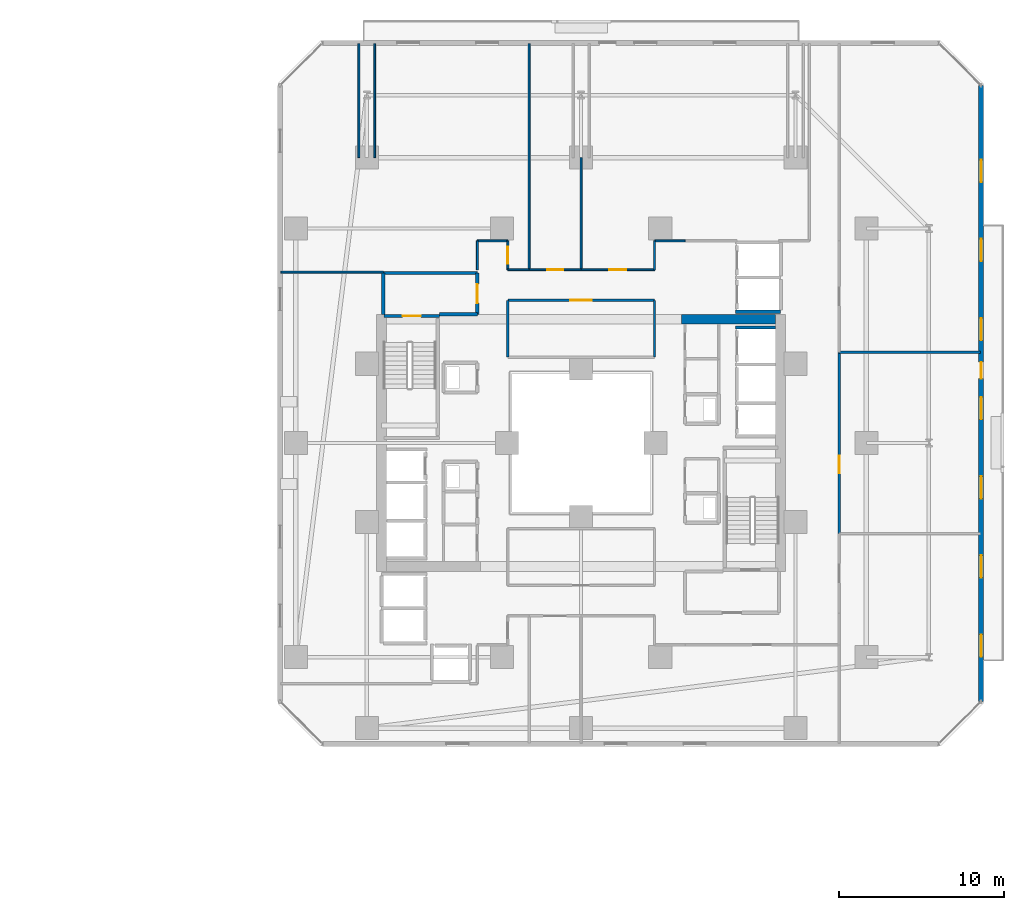
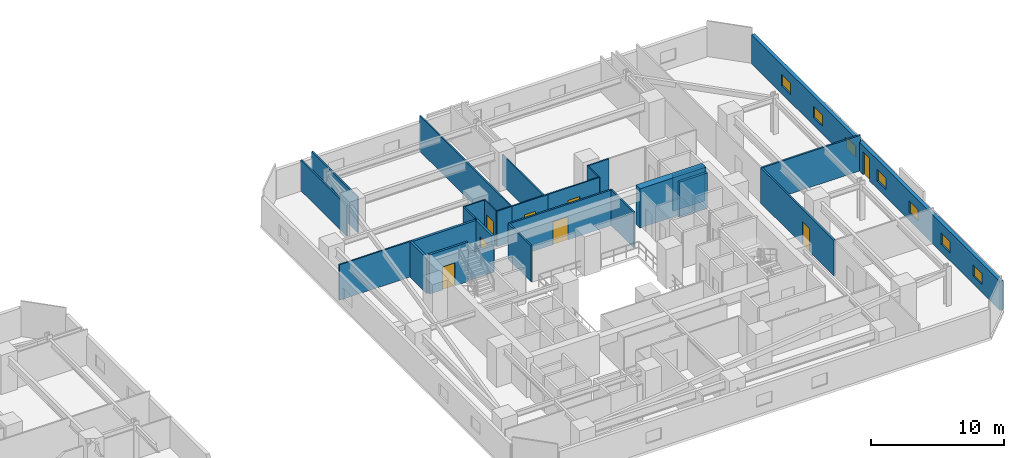
# One storey, part 27 of 36: 27 walls, 8 doors, 7 windows, 15 openings.
"""IFC4 building model written with IfcOpenShell, lengths in metres."""

from ifc_helpers import new_model, si_unit, direction, frame, frame_2d, origin, place, context, subcontext, project, spatial, rectangle, extrude, material, layer, layer_set, type_object, element, fill, save


model = new_model("IFC4")

# Units and contexts
model_context = context("Model", 3, precision=1e-05, world=origin(), true_north=direction((0.0, 1.0)))
body_context = subcontext(model_context, "Body", "Model", "MODEL_VIEW")
ifc_project = project(units=[si_unit("LENGTHUNIT", "METRE"), si_unit("AREAUNIT", "SQUARE_METRE"), si_unit("VOLUMEUNIT", "CUBIC_METRE"), si_unit("PLANEANGLEUNIT", "RADIAN"), si_unit("MASSUNIT", "GRAM", prefix="KILO")], contexts=[model_context])

# Site, building, storey
site_placement = place(None, origin())
site = spatial("IfcSite", under=ifc_project, at=site_placement, CompositionType="ELEMENT")
building_placement = place(site_placement, origin())
building = spatial("IfcBuilding", under=site, at=building_placement, Name="Thornwick Lancets Civic Towers", CompositionType="ELEMENT")
storey_placement = place(building_placement, frame((0.0, 0.0, 68.10009765625)))
storey = spatial("IfcBuildingStorey", under=building, at=storey_placement, Name="L17", CompositionType="ELEMENT", Elevation=68.10009765625)

# Walls
ifc_material_1 = material(Name="Concrete blockwork C40/50", Category="masonry")
ifc_layer_1 = layer(ifc_material_1, 0.199951171875, Name="Concrete blockwork C40/50")
ifc_layer_set_1 = layer_set([ifc_layer_1], Name="Concrete blockwork C40/50")
wall_type_1 = type_object("IfcWallType", Name="WALL_COMP_200", PredefinedType="STANDARD", material=ifc_layer_set_1)
wall_1_placement = place(storey_placement, frame((97.85205078125, 34.0, 0.0), z_axis=(0.0, 0.0, 1.0), x_axis=(1.0, 0.0, 0.0)))
element("IfcWall", 1, at=wall_1_placement, inside=storey, type_object=wall_type_1, Name="L17 Hoistway Shaft Wall PL-BL1 N", PredefinedType="STANDARD", context=body_context, shape_type="SweptSolid", body=[
    extrude(rectangle(XDim=2.43603515625, YDim=0.199951171875, at=frame_2d((1.218017578125, 0.0))), origin(), (0.0, 0.0, 1.0), 3.260009765625),
])
wall_2_placement = place(storey_placement, frame((97.85205078125, 34.949951171875, 0.0), z_axis=(0.0, 0.0, 1.0), x_axis=(1.0, 0.0, 0.0)))
element("IfcWall", 2, at=wall_2_placement, inside=storey, type_object=wall_type_1, Name="L17 Hoistway Shaft Wall PL-BL2 S", PredefinedType="STANDARD", context=body_context, shape_type="SweptSolid", body=[
    extrude(rectangle(XDim=2.745849609375, YDim=0.199951171875, at=frame_2d((1.373046875, 0.0))), origin(), (0.0, 0.0, 1.0), 3.260009765625),
])
wall_3_placement = place(storey_placement, frame((79.89990234375, 34.800048828125, 0.0), z_axis=(0.0, 0.0, 1.0), x_axis=(1.0, 0.0, 0.0)))
element("IfcWall", 3, at=wall_3_placement, inside=storey, type_object=wall_type_1, Name="L17 Partition L17-B-FFLOB2 E1", PredefinedType="STANDARD", context=body_context, shape_type="SweptSolid", body=[
    extrude(rectangle(XDim=2.300048828125, YDim=0.199951171875, at=frame_2d((1.14990234375, 0.0))), origin(), (0.0, 0.0, 1.0), 2.46484375),
])

# Wall, opening, door
wall_4_placement = place(storey_placement, frame((82.199951171875, 34.800048828125, 0.0), z_axis=(0.0, 0.0, 1.0), x_axis=(0.0, 1.0, 0.0)))
wall_4 = element("IfcWall", 4, at=wall_4_placement, inside=storey, type_object=wall_type_1, Name="L17 Partition L17-B-FFLOB2 E2", PredefinedType="STANDARD", context=body_context, shape_type="SweptSolid", body=[
    extrude(rectangle(XDim=2.5, YDim=0.199951171875, at=frame_2d((1.25, 0.0))), origin(), (0.0, 0.0, 1.0), 3.260009765625),
])
opening_1_placement = place(wall_4_placement, frame((0.675048828125, 0.0, 0.0)))
opening_1 = element("IfcOpeningElement", 5, at=opening_1_placement, cuts=wall_4, Name="Opening D-L17-0813", PredefinedType="OPENING", context=body_context, shape_type="SweptSolid", body=[
    extrude(rectangle(XDim=1.14990234375, YDim=2.10009765625, at=frame_2d((0.574951171875, 1.050048828125))), frame((0.0, 0.10986328125, 0.0), z_axis=(0.0, -1.0, 0.0), x_axis=(1.0, 0.0, 0.0)), (0.0, 0.0, 1.0), 0.219970703125),
])
ifc_material_2 = material(Name="Glazed fire-resisting steel", Category="steel")
door_type_1 = type_object("IfcDoorType", Name="DOOR_LOBBY_FD60", OperationType="NOTDEFINED", PredefinedType="DOOR", material=ifc_material_2)
door_1_placement = place(opening_1_placement, origin())
door_1 = element("IfcDoor", 6, at=door_1_placement, inside=storey, type_object=door_type_1, Name="L17 West Firefighting Lobby 2 Door", OperationType="SINGLE_SWING_RIGHT", OverallHeight=2.10009765625, OverallWidth=1.14990234375, PredefinedType="DOOR", context=body_context, shape_type="SweptSolid", body=[
    extrude(rectangle(XDim=1.14990234375, YDim=2.10009765625, at=frame_2d((0.574951171875, 1.050048828125))), frame((0.0, 0.02490234375, 0.0), z_axis=(0.0, -1.0, 0.0), x_axis=(1.0, 0.0, 0.0)), (0.0, 0.0, 1.0), 0.050048828125),
])
fill(opening_1, door_1)

# Walls
wall_5_placement = place(storey_placement, frame((82.199951171875, 37.300048828125, 0.0), z_axis=(0.0, 0.0, 1.0), x_axis=(-1.0, 0.0, 0.0)))
element("IfcWall", 7, at=wall_5_placement, inside=storey, type_object=wall_type_1, Name="L17 Partition L17-B-FFLOB2 E3", PredefinedType="STANDARD", context=body_context, shape_type="SweptSolid", body=[
    extrude(rectangle(XDim=5.699951171875, YDim=0.199951171875, at=frame_2d((2.85009765625, 0.0))), origin(), (0.0, 0.0, 1.0), 3.260009765625),
])
wall_6_placement = place(storey_placement, frame((76.5, 37.300048828125, 0.0), z_axis=(0.0, 0.0, 1.0), x_axis=(0.0, -1.0, 0.0)))
element("IfcWall", 8, at=wall_6_placement, inside=storey, type_object=wall_type_1, Name="L17 Partition L17-B-FFLOB2 E4", PredefinedType="STANDARD", context=body_context, shape_type="SweptSolid", body=[
    extrude(rectangle(XDim=2.5, YDim=0.199951171875, at=frame_2d((1.25, 0.0))), origin(), (0.0, 0.0, 1.0), 3.260009765625),
])
ifc_material_3 = material(Name="Concrete C60/75", Category="concrete")
ifc_layer_2 = layer(ifc_material_3, 0.60009765625, Name="Concrete C60/75")
ifc_layer_set_2 = layer_set([ifc_layer_2], Name="Concrete C60/75")
wall_type_2 = type_object("IfcWallType", Name="WALL_CORE_600", PredefinedType="SHEAR", material=ifc_layer_set_2)
wall_7_placement = place(storey_placement, frame((94.60009765625, 34.5, 0.0), z_axis=(0.0, 0.0, 1.0), x_axis=(1.0, 0.0, 0.0)))
element("IfcWall", 9, at=wall_7_placement, inside=storey, type_object=wall_type_2, Name="L17 Split Core B1 Shear Wall N", PredefinedType="SHEAR", context=body_context, shape_type="SweptSolid", body=[
    extrude(rectangle(XDim=5.699951171875, YDim=0.60009765625, at=frame_2d((2.85009765625, 0.0))), origin(), (0.0, 0.0, 1.0), 3.599853515625),
])

# Wall, openings, door, windows
ifc_material_4 = material(Name="Insulated russet terracotta rainscreen on concrete C40/50", Category="masonry")
ifc_layer_3 = layer(ifc_material_4, 0.300048828125, Name="Insulated russet terracotta rainscreen on concrete C40/50")
ifc_layer_set_3 = layer_set([ifc_layer_3], Name="Insulated russet terracotta rainscreen on concrete C40/50")
wall_type_3 = type_object("IfcWallType", Name="WALL_EXT_RUSSET_300", PredefinedType="STANDARD", material=ifc_layer_set_3)
wall_8_placement = place(storey_placement, frame((112.764892578125, 11.31884765625, 0.0), z_axis=(0.0, 0.0, 1.0), x_axis=(0.0, 1.0, 0.0)))
wall_8 = element("IfcWall", 10, at=wall_8_placement, inside=storey, type_object=wall_type_3, Name="L17 Tower B Terracotta Facade Wall E2", PredefinedType="STANDARD", context=body_context, shape_type="SweptSolid", body=[
    extrude(rectangle(XDim=37.3623046875, YDim=0.300048828125, at=frame_2d((18.68115234375, 0.0))), origin(), (0.0, 0.0, 1.0), 2.659912109375),
])
opening_2_placement = place(wall_8_placement, frame((19.581298828125, 0.0, 0.0)))
opening_2 = element("IfcOpeningElement", 11, at=opening_2_placement, cuts=wall_8, Name="Opening D-BL-L17-BE", PredefinedType="OPENING", context=body_context, shape_type="SweptSolid", body=[
    extrude(rectangle(XDim=1.0, YDim=2.080078125, at=frame_2d((0.5, 1.0400390625))), frame((0.0, 0.16015625, 0.0), z_axis=(0.0, -1.0, 0.0), x_axis=(1.0, 0.0, 0.0)), (0.0, 0.0, 1.0), 0.320068359375),
])
opening_3_placement = place(wall_8_placement, frame((2.699951171875, 0.0, 0.719970703125)))
opening_3 = element("IfcOpeningElement", 12, at=opening_3_placement, cuts=wall_8, Name="Opening WL-03", PredefinedType="OPENING", context=body_context, shape_type="SweptSolid", body=[
    extrude(rectangle(XDim=1.35009765625, YDim=1.050048828125, at=frame_2d((0.675048828125, 0.52490234375))), frame((0.0, 0.16015625, 0.0), z_axis=(0.0, -1.0, 0.0), x_axis=(1.0, 0.0, 0.0)), (0.0, 0.0, 1.0), 0.320068359375),
])
opening_4_placement = place(wall_8_placement, frame((7.5, 0.0, 0.719970703125)))
opening_4 = element("IfcOpeningElement", 13, at=opening_4_placement, cuts=wall_8, Name="Opening WL-03", PredefinedType="OPENING", context=body_context, shape_type="SweptSolid", body=[
    extrude(rectangle(XDim=1.35009765625, YDim=1.050048828125, at=frame_2d((0.675048828125, 0.52490234375))), frame((0.0, 0.16015625, 0.0), z_axis=(0.0, -1.0, 0.0), x_axis=(1.0, 0.0, 0.0)), (0.0, 0.0, 1.0), 0.320068359375),
])
opening_5_placement = place(wall_8_placement, frame((12.300048828125, 0.0, 0.719970703125)))
opening_5 = element("IfcOpeningElement", 14, at=opening_5_placement, cuts=wall_8, Name="Opening WL-03", PredefinedType="OPENING", context=body_context, shape_type="SweptSolid", body=[
    extrude(rectangle(XDim=1.35009765625, YDim=1.050048828125, at=frame_2d((0.675048828125, 0.52490234375))), frame((0.0, 0.16015625, 0.0), z_axis=(0.0, -1.0, 0.0), x_axis=(1.0, 0.0, 0.0)), (0.0, 0.0, 1.0), 0.320068359375),
])
opening_6_placement = place(wall_8_placement, frame((17.10009765625, 0.0, 0.719970703125)))
opening_6 = element("IfcOpeningElement", 15, at=opening_6_placement, cuts=wall_8, Name="Opening WL-03", PredefinedType="OPENING", context=body_context, shape_type="SweptSolid", body=[
    extrude(rectangle(XDim=1.35009765625, YDim=1.050048828125, at=frame_2d((0.675048828125, 0.52490234375))), frame((0.0, 0.16015625, 0.0), z_axis=(0.0, -1.0, 0.0), x_axis=(1.0, 0.0, 0.0)), (0.0, 0.0, 1.0), 0.320068359375),
])
opening_7_placement = place(wall_8_placement, frame((21.89990234375, 0.0, 0.719970703125)))
opening_7 = element("IfcOpeningElement", 16, at=opening_7_placement, cuts=wall_8, Name="Opening WL-03", PredefinedType="OPENING", context=body_context, shape_type="SweptSolid", body=[
    extrude(rectangle(XDim=1.35009765625, YDim=1.050048828125, at=frame_2d((0.675048828125, 0.52490234375))), frame((0.0, 0.16015625, 0.0), z_axis=(0.0, -1.0, 0.0), x_axis=(1.0, 0.0, 0.0)), (0.0, 0.0, 1.0), 0.320068359375),
])
opening_8_placement = place(wall_8_placement, frame((26.699951171875, 0.0, 0.719970703125)))
opening_8 = element("IfcOpeningElement", 17, at=opening_8_placement, cuts=wall_8, Name="Opening WL-03", PredefinedType="OPENING", context=body_context, shape_type="SweptSolid", body=[
    extrude(rectangle(XDim=1.35009765625, YDim=1.050048828125, at=frame_2d((0.675048828125, 0.52490234375))), frame((0.0, 0.16015625, 0.0), z_axis=(0.0, -1.0, 0.0), x_axis=(1.0, 0.0, 0.0)), (0.0, 0.0, 1.0), 0.320068359375),
])
opening_9_placement = place(wall_8_placement, frame((31.5, 0.0, 0.719970703125)))
opening_9 = element("IfcOpeningElement", 18, at=opening_9_placement, cuts=wall_8, Name="Opening WL-03", PredefinedType="OPENING", context=body_context, shape_type="SweptSolid", body=[
    extrude(rectangle(XDim=1.35009765625, YDim=1.050048828125, at=frame_2d((0.675048828125, 0.52490234375))), frame((0.0, 0.16015625, 0.0), z_axis=(0.0, -1.0, 0.0), x_axis=(1.0, 0.0, 0.0)), (0.0, 0.0, 1.0), 0.320068359375),
])
ifc_material_5 = material(Name="Thermally broken glazed loggia doorset")
door_type_2 = type_object("IfcDoorType", Name="DOOR_BALC_1000", OperationType="NOTDEFINED", PredefinedType="DOOR", material=ifc_material_5)
door_2_placement = place(opening_2_placement, origin())
door_2 = element("IfcDoor", 19, at=door_2_placement, inside=storey, type_object=door_type_2, Name="L17 Tower B Loggia Balcony Door E", OperationType="SINGLE_SWING_RIGHT", OverallHeight=2.080078125, OverallWidth=1.0, PredefinedType="DOOR", context=body_context, shape_type="SweptSolid", body=[
    extrude(rectangle(XDim=1.0, YDim=2.080078125, at=frame_2d((0.5, 1.0400390625))), frame((0.0, 0.02490234375, 0.0), z_axis=(0.0, -1.0, 0.0), x_axis=(1.0, 0.0, 0.0)), (0.0, 0.0, 1.0), 0.050048828125),
])
fill(opening_2, door_2)
ifc_material_6 = material(Name="Clear low-e double glazing clerestory lancet", Category="glass")
window_type = type_object("IfcWindowType", Name="WIN_LANCET_1350", PartitioningType="SINGLE_PANEL", PredefinedType="WINDOW", material=ifc_material_6)
window_1_placement = place(opening_3_placement, origin())
window_1 = element("IfcWindow", 20, at=window_1_placement, inside=storey, type_object=window_type, Name="L17 Tower B Staggered Lancet Window E2-1", OverallHeight=1.050048828125, OverallWidth=1.35009765625, PartitioningType="SINGLE_PANEL", PredefinedType="WINDOW", context=body_context, shape_type="SweptSolid", body=[
    extrude(rectangle(XDim=1.35009765625, YDim=1.050048828125, at=frame_2d((0.675048828125, 0.52490234375))), frame((0.0, 0.030029296875, 0.0), z_axis=(0.0, -1.0, 0.0), x_axis=(1.0, 0.0, 0.0)), (0.0, 0.0, 1.0), 0.06005859375),
])
fill(opening_3, window_1)
window_2_placement = place(opening_4_placement, origin())
window_2 = element("IfcWindow", 21, at=window_2_placement, inside=storey, type_object=window_type, Name="L17 Tower B Staggered Lancet Window E2-2", OverallHeight=1.050048828125, OverallWidth=1.35009765625, PartitioningType="SINGLE_PANEL", PredefinedType="WINDOW", context=body_context, shape_type="SweptSolid", body=[
    extrude(rectangle(XDim=1.35009765625, YDim=1.050048828125, at=frame_2d((0.675048828125, 0.52490234375))), frame((0.0, 0.030029296875, 0.0), z_axis=(0.0, -1.0, 0.0), x_axis=(1.0, 0.0, 0.0)), (0.0, 0.0, 1.0), 0.06005859375),
])
fill(opening_4, window_2)
window_3_placement = place(opening_5_placement, origin())
window_3 = element("IfcWindow", 22, at=window_3_placement, inside=storey, type_object=window_type, Name="L17 Tower B Staggered Lancet Window E2-3", OverallHeight=1.050048828125, OverallWidth=1.35009765625, PartitioningType="SINGLE_PANEL", PredefinedType="WINDOW", context=body_context, shape_type="SweptSolid", body=[
    extrude(rectangle(XDim=1.35009765625, YDim=1.050048828125, at=frame_2d((0.675048828125, 0.52490234375))), frame((0.0, 0.030029296875, 0.0), z_axis=(0.0, -1.0, 0.0), x_axis=(1.0, 0.0, 0.0)), (0.0, 0.0, 1.0), 0.06005859375),
])
fill(opening_5, window_3)
window_4_placement = place(opening_6_placement, origin())
window_4 = element("IfcWindow", 23, at=window_4_placement, inside=storey, type_object=window_type, Name="L17 Tower B Staggered Lancet Window E2-4", OverallHeight=1.050048828125, OverallWidth=1.35009765625, PartitioningType="SINGLE_PANEL", PredefinedType="WINDOW", context=body_context, shape_type="SweptSolid", body=[
    extrude(rectangle(XDim=1.35009765625, YDim=1.050048828125, at=frame_2d((0.675048828125, 0.52490234375))), frame((0.0, 0.030029296875, 0.0), z_axis=(0.0, -1.0, 0.0), x_axis=(1.0, 0.0, 0.0)), (0.0, 0.0, 1.0), 0.06005859375),
])
fill(opening_6, window_4)
window_5_placement = place(opening_7_placement, origin())
window_5 = element("IfcWindow", 24, at=window_5_placement, inside=storey, type_object=window_type, Name="L17 Tower B Staggered Lancet Window E2-5", OverallHeight=1.050048828125, OverallWidth=1.35009765625, PartitioningType="SINGLE_PANEL", PredefinedType="WINDOW", context=body_context, shape_type="SweptSolid", body=[
    extrude(rectangle(XDim=1.35009765625, YDim=1.050048828125, at=frame_2d((0.675048828125, 0.52490234375))), frame((0.0, 0.030029296875, 0.0), z_axis=(0.0, -1.0, 0.0), x_axis=(1.0, 0.0, 0.0)), (0.0, 0.0, 1.0), 0.06005859375),
])
fill(opening_7, window_5)
window_6_placement = place(opening_8_placement, origin())
window_6 = element("IfcWindow", 25, at=window_6_placement, inside=storey, type_object=window_type, Name="L17 Tower B Staggered Lancet Window E2-6", OverallHeight=1.050048828125, OverallWidth=1.35009765625, PartitioningType="SINGLE_PANEL", PredefinedType="WINDOW", context=body_context, shape_type="SweptSolid", body=[
    extrude(rectangle(XDim=1.35009765625, YDim=1.050048828125, at=frame_2d((0.675048828125, 0.52490234375))), frame((0.0, 0.030029296875, 0.0), z_axis=(0.0, -1.0, 0.0), x_axis=(1.0, 0.0, 0.0)), (0.0, 0.0, 1.0), 0.06005859375),
])
fill(opening_8, window_6)
window_7_placement = place(opening_9_placement, origin())
window_7 = element("IfcWindow", 26, at=window_7_placement, inside=storey, type_object=window_type, Name="L17 Tower B Staggered Lancet Window E2-7", OverallHeight=1.050048828125, OverallWidth=1.35009765625, PartitioningType="SINGLE_PANEL", PredefinedType="WINDOW", context=body_context, shape_type="SweptSolid", body=[
    extrude(rectangle(XDim=1.35009765625, YDim=1.050048828125, at=frame_2d((0.675048828125, 0.52490234375))), frame((0.0, 0.030029296875, 0.0), z_axis=(0.0, -1.0, 0.0), x_axis=(1.0, 0.0, 0.0)), (0.0, 0.0, 1.0), 0.06005859375),
])
fill(opening_9, window_7)

# Walls
ifc_material_7 = material(Name="Acoustic gypsum board partition")
ifc_layer_4 = layer(ifc_material_7, 0.1201171875, Name="Acoustic gypsum board partition")
ifc_layer_set_4 = layer_set([ifc_layer_4], Name="Acoustic gypsum board partition")
wall_type_4 = type_object("IfcWallType", Name="WALL_PART_120", PredefinedType="PARTITIONING", material=ifc_layer_set_4)
wall_9_placement = place(storey_placement, frame((94.800048828125, 39.25, 0.0), z_axis=(0.0, 0.0, 1.0), x_axis=(-1.0, 0.0, 0.0)))
element("IfcWall", 27, at=wall_9_placement, inside=storey, type_object=wall_type_4, Name="L17 Partition L17-B-E1 E2", PredefinedType="PARTITIONING", context=body_context, shape_type="SweptSolid", body=[
    extrude(rectangle(XDim=1.85009765625, YDim=0.1201171875, at=frame_2d((0.925048828125, 0.0))), origin(), (0.0, 0.0, 1.0), 3.260009765625),
])
wall_10_placement = place(storey_placement, frame((92.949951171875, 39.25, 0.0), z_axis=(0.0, 0.0, 1.0), x_axis=(0.0, -1.0, 0.0)))
element("IfcWall", 28, at=wall_10_placement, inside=storey, type_object=wall_type_4, Name="L17 Partition L17-B-E1 E3", PredefinedType="PARTITIONING", context=body_context, shape_type="SweptSolid", body=[
    extrude(rectangle(XDim=1.75, YDim=0.1201171875, at=frame_2d((0.875, 0.0))), origin(), (0.0, 0.0, 1.0), 3.260009765625),
])

# Wall, opening, door
wall_11_placement = place(storey_placement, frame((92.949951171875, 37.5, 0.0), z_axis=(0.0, 0.0, 1.0), x_axis=(-1.0, 0.0, 0.0)))
wall_11 = element("IfcWall", 29, at=wall_11_placement, inside=storey, type_object=wall_type_4, Name="L17 Partition L17-B-E1 E4", PredefinedType="PARTITIONING", context=body_context, shape_type="SweptSolid", body=[
    extrude(rectangle(XDim=4.449951171875, YDim=0.1201171875, at=frame_2d((2.22509765625, 0.0))), origin(), (0.0, 0.0, 1.0), 3.260009765625),
])
opening_10_placement = place(wall_11_placement, frame((1.699951171875, 0.0, 0.0)))
opening_10 = element("IfcOpeningElement", 30, at=opening_10_placement, cuts=wall_11, Name="Opening D-L17-0837", PredefinedType="OPENING", context=body_context, shape_type="SweptSolid", body=[
    extrude(rectangle(XDim=1.050048828125, YDim=2.10009765625, at=frame_2d((0.52490234375, 1.050048828125))), frame((0.0, 0.070068359375, 0.0), z_axis=(0.0, -1.0, 0.0), x_axis=(1.0, 0.0, 0.0)), (0.0, 0.0, 1.0), 0.14013671875),
])
ifc_material_8 = material(Name="Glazed European oak executive doorset")
door_type_3 = type_object("IfcDoorType", Name="DOOR_OFFICE_1050", OperationType="NOTDEFINED", PredefinedType="DOOR", material=ifc_material_8)
door_3_placement = place(opening_10_placement, origin())
door_3 = element("IfcDoor", 31, at=door_3_placement, inside=storey, type_object=door_type_3, Name="L17 Tower B Secretariat Open Office E1 Door", OperationType="SINGLE_SWING_RIGHT", OverallHeight=2.10009765625, OverallWidth=1.050048828125, PredefinedType="DOOR", context=body_context, shape_type="SweptSolid", body=[
    extrude(rectangle(XDim=1.050048828125, YDim=2.10009765625, at=frame_2d((0.52490234375, 1.050048828125))), frame((0.0, 0.02490234375, 0.0), z_axis=(0.0, -1.0, 0.0), x_axis=(1.0, 0.0, 0.0)), (0.0, 0.0, 1.0), 0.050048828125),
])
fill(opening_10, door_3)

# Walls
wall_12_placement = place(storey_placement, frame((88.5, 37.5, 0.0), z_axis=(0.0, 0.0, 1.0), x_axis=(0.0, 1.0, 0.0)))
element("IfcWall", 32, at=wall_12_placement, inside=storey, type_object=wall_type_4, Name="L17 Partition L17-B-E1 E5", PredefinedType="PARTITIONING", context=body_context, shape_type="SweptSolid", body=[
    extrude(rectangle(XDim=6.800048828125, YDim=0.1201171875, at=frame_2d((3.39990234375, 0.0))), origin(), (0.0, 0.0, 1.0), 2.797607421875),
])
wall_13_placement = place(storey_placement, frame((85.35009765625, 37.5, 0.0), z_axis=(0.0, 0.0, 1.0), x_axis=(0.0, 1.0, 0.0)))
element("IfcWall", 33, at=wall_13_placement, inside=storey, type_object=wall_type_4, Name="L17 Partition L17-B-E2 E1", PredefinedType="PARTITIONING", context=body_context, shape_type="SweptSolid", body=[
    extrude(rectangle(XDim=13.719970703125, YDim=0.1201171875, at=frame_2d((6.85986328125, 0.0))), origin(), (0.0, 0.0, 1.0), 3.260009765625),
])

# Wall, opening, door
wall_14_placement = place(storey_placement, frame((88.5, 37.5, 0.0), z_axis=(0.0, 0.0, 1.0), x_axis=(-1.0, 0.0, 0.0)))
wall_14 = element("IfcWall", 34, at=wall_14_placement, inside=storey, type_object=wall_type_4, Name="L17 Partition L17-B-E2 E6", PredefinedType="PARTITIONING", context=body_context, shape_type="SweptSolid", body=[
    extrude(rectangle(XDim=3.14990234375, YDim=0.1201171875, at=frame_2d((1.574951171875, 0.0))), origin(), (0.0, 0.0, 1.0), 3.260009765625),
])
opening_11_placement = place(wall_14_placement, frame((1.10009765625, 0.0, 0.0)))
opening_11 = element("IfcOpeningElement", 35, at=opening_11_placement, cuts=wall_14, Name="Opening D-L17-0838", PredefinedType="OPENING", context=body_context, shape_type="SweptSolid", body=[
    extrude(rectangle(XDim=0.949951171875, YDim=2.10009765625, at=frame_2d((0.47509765625, 1.050048828125))), frame((0.0, 0.070068359375, 0.0), z_axis=(0.0, -1.0, 0.0), x_axis=(1.0, 0.0, 0.0)), (0.0, 0.0, 1.0), 0.14013671875),
])
ifc_material_9 = material(Name="European oak acoustic doorset")
door_type_4 = type_object("IfcDoorType", Name="DOOR_OFFICE_950", OperationType="NOTDEFINED", PredefinedType="DOOR", material=ifc_material_9)
door_4_placement = place(opening_11_placement, origin())
door_4 = element("IfcDoor", 36, at=door_4_placement, inside=storey, type_object=door_type_4, Name="L17 Tower B Visitors Reception and Waiting Door", OperationType="SINGLE_SWING_LEFT", OverallHeight=2.10009765625, OverallWidth=0.949951171875, PredefinedType="DOOR", context=body_context, shape_type="SweptSolid", body=[
    extrude(rectangle(XDim=0.949951171875, YDim=2.10009765625, at=frame_2d((0.47509765625, 1.050048828125))), frame((0.0, 0.02490234375, 0.0), z_axis=(0.0, -1.0, 0.0), x_axis=(1.0, 0.0, 0.0)), (0.0, 0.0, 1.0), 0.050048828125),
])
fill(opening_11, door_4)

wall_15_placement = place(storey_placement, frame((84.050048828125, 37.5, 0.0), z_axis=(0.0, 0.0, 1.0), x_axis=(0.0, 1.0, 0.0)))
wall_15 = element("IfcWall", 37, at=wall_15_placement, inside=storey, type_object=wall_type_4, Name="L17 Partition L17-B-E3 E1", PredefinedType="PARTITIONING", context=body_context, shape_type="SweptSolid", body=[
    extrude(rectangle(XDim=1.75, YDim=0.1201171875, at=frame_2d((0.875, 0.0))), origin(), (0.0, 0.0, 1.0), 3.260009765625),
])
opening_12_placement = place(wall_15_placement, frame((0.35009765625, 0.0, 0.0)))
opening_12 = element("IfcOpeningElement", 38, at=opening_12_placement, cuts=wall_15, Name="Opening D-L17-0839", PredefinedType="OPENING", context=body_context, shape_type="SweptSolid", body=[
    extrude(rectangle(XDim=1.050048828125, YDim=2.10009765625, at=frame_2d((0.52490234375, 1.050048828125))), frame((0.0, 0.070068359375, 0.0), z_axis=(0.0, -1.0, 0.0), x_axis=(1.0, 0.0, 0.0)), (0.0, 0.0, 1.0), 0.14013671875),
])
door_5_placement = place(opening_12_placement, origin())
door_5 = element("IfcDoor", 39, at=door_5_placement, inside=storey, type_object=door_type_3, Name="L17 Tower B Civic Seminar Room Door", OperationType="SINGLE_SWING_RIGHT", OverallHeight=2.10009765625, OverallWidth=1.050048828125, PredefinedType="DOOR", context=body_context, shape_type="SweptSolid", body=[
    extrude(rectangle(XDim=1.050048828125, YDim=2.10009765625, at=frame_2d((0.52490234375, 1.050048828125))), frame((0.0, 0.02490234375, 0.0), z_axis=(0.0, -1.0, 0.0), x_axis=(1.0, 0.0, 0.0)), (0.0, 0.0, 1.0), 0.050048828125),
])
fill(opening_12, door_5)

# Walls
wall_16_placement = place(storey_placement, frame((84.050048828125, 39.25, 0.0), z_axis=(0.0, 0.0, 1.0), x_axis=(-1.0, 0.0, 0.0)))
element("IfcWall", 40, at=wall_16_placement, inside=storey, type_object=wall_type_4, Name="L17 Partition L17-B-E3 E2", PredefinedType="PARTITIONING", context=body_context, shape_type="SweptSolid", body=[
    extrude(rectangle(XDim=1.85009765625, YDim=0.1201171875, at=frame_2d((0.925048828125, 0.0))), origin(), (0.0, 0.0, 1.0), 3.260009765625),
])
wall_17_placement = place(storey_placement, frame((82.199951171875, 39.25, 0.0), z_axis=(0.0, 0.0, 1.0), x_axis=(0.0, -1.0, 0.0)))
element("IfcWall", 41, at=wall_17_placement, inside=storey, type_object=wall_type_4, Name="L17 Partition L17-B-E3 E3", PredefinedType="PARTITIONING", context=body_context, shape_type="SweptSolid", body=[
    extrude(rectangle(XDim=1.75, YDim=0.1201171875, at=frame_2d((0.875, 0.0))), origin(), (0.0, 0.0, 1.0), 3.260009765625),
])
wall_18_placement = place(storey_placement, frame((76.5, 37.35009765625, 0.0), z_axis=(0.0, 0.0, 1.0), x_axis=(-1.0, 0.0, 0.0)))
element("IfcWall", 42, at=wall_18_placement, inside=storey, type_object=wall_type_4, Name="L17 Partition L17-B-E3 E5", PredefinedType="PARTITIONING", context=body_context, shape_type="SweptSolid", body=[
    extrude(rectangle(XDim=6.219970703125, YDim=0.1201171875, at=frame_2d((3.10986328125, 0.0))), origin(), (0.0, 0.0, 1.0), 3.260009765625),
])
wall_19_placement = place(storey_placement, frame((75.02001953125, 51.219970703125, 0.0), z_axis=(0.0, 0.0, 1.0), x_axis=(0.0, -1.0, 0.0)))
element("IfcWall", 43, at=wall_19_placement, inside=storey, type_object=wall_type_4, Name="L17 Partition L17-B-E3 E13", PredefinedType="PARTITIONING", context=body_context, shape_type="SweptSolid", body=[
    extrude(rectangle(XDim=6.919921875, YDim=0.1201171875, at=frame_2d((3.4599609375, 0.0))), origin(), (0.0, 0.0, 1.0), 2.81494140625),
])
wall_20_placement = place(storey_placement, frame((75.97998046875, 44.300048828125, 0.0), z_axis=(0.0, 0.0, 1.0), x_axis=(0.0, 1.0, 0.0)))
element("IfcWall", 44, at=wall_20_placement, inside=storey, type_object=wall_type_4, Name="L17 Partition L17-B-E3 E15", PredefinedType="PARTITIONING", context=body_context, shape_type="SweptSolid", body=[
    extrude(rectangle(XDim=6.919921875, YDim=0.1201171875, at=frame_2d((3.4599609375, 0.0))), origin(), (0.0, 0.0, 1.0), 3.260009765625),
])
wall_21_placement = place(storey_placement, frame((85.35009765625, 37.5, 0.0), z_axis=(0.0, 0.0, 1.0), x_axis=(-1.0, 0.0, 0.0)))
element("IfcWall", 45, at=wall_21_placement, inside=storey, type_object=wall_type_4, Name="L17 Partition L17-B-E3 E18", PredefinedType="PARTITIONING", context=body_context, shape_type="SweptSolid", body=[
    extrude(rectangle(XDim=1.300048828125, YDim=0.1201171875, at=frame_2d((0.64990234375, 0.0))), origin(), (0.0, 0.0, 1.0), 3.260009765625),
])
ifc_material_10 = material(Name="Twin-stud acoustic gypsum board")
ifc_layer_5 = layer(ifc_material_10, 0.14990234375, Name="Twin-stud acoustic gypsum board")
ifc_layer_set_5 = layer_set([ifc_layer_5], Name="Twin-stud acoustic gypsum board")
wall_type_5 = type_object("IfcWallType", Name="WALL_PART_150", PredefinedType="PARTITIONING", material=ifc_layer_set_5)
wall_22_placement = place(storey_placement, frame((84.050048828125, 32.199951171875, 0.0), z_axis=(0.0, 0.0, 1.0), x_axis=(0.0, 1.0, 0.0)))
element("IfcWall", 46, at=wall_22_placement, inside=storey, type_object=wall_type_5, Name="L17 Partition L17-B-ATR-E E1", PredefinedType="PARTITIONING", context=body_context, shape_type="SweptSolid", body=[
    extrude(rectangle(XDim=3.449951171875, YDim=0.14990234375, at=frame_2d((1.72509765625, 0.0))), origin(), (0.0, 0.0, 1.0), 3.260009765625),
])

# Wall, opening, door
wall_23_placement = place(storey_placement, frame((84.050048828125, 35.64990234375, 0.0), z_axis=(0.0, 0.0, 1.0), x_axis=(1.0, 0.0, 0.0)))
wall_23 = element("IfcWall", 47, at=wall_23_placement, inside=storey, type_object=wall_type_5, Name="L17 Partition L17-B-ATR-E E2", PredefinedType="PARTITIONING", context=body_context, shape_type="SweptSolid", body=[
    extrude(rectangle(XDim=8.89990234375, YDim=0.14990234375, at=frame_2d((4.449951171875, 0.0))), origin(), (0.0, 0.0, 1.0), 3.260009765625),
])
opening_13_placement = place(wall_23_placement, frame((3.800048828125, 0.0, 0.0)))
opening_13 = element("IfcOpeningElement", 48, at=opening_13_placement, cuts=wall_23, Name="Opening D-L17-0840", PredefinedType="OPENING", context=body_context, shape_type="SweptSolid", body=[
    extrude(rectangle(XDim=1.300048828125, YDim=2.1201171875, at=frame_2d((0.64990234375, 1.06005859375))), frame((0.0, 0.0849609375, 0.0), z_axis=(0.0, -1.0, 0.0), x_axis=(1.0, 0.0, 0.0)), (0.0, 0.0, 1.0), 0.169921875),
])
ifc_material_11 = material(Name="Acoustic oak leaf-and-a-half doorset")
door_type_5 = type_object("IfcDoorType", Name="DOOR_MEET_1300", OperationType="DOUBLE_DOOR_SINGLE_SWING", PredefinedType="DOOR", material=ifc_material_11)
door_6_placement = place(opening_13_placement, origin())
door_6 = element("IfcDoor", 49, at=door_6_placement, inside=storey, type_object=door_type_5, Name="L17 Tower B East Atrium Briefing Suite Door", OperationType="DOUBLE_DOOR_SINGLE_SWING", OverallHeight=2.1201171875, OverallWidth=1.300048828125, PredefinedType="DOOR", context=body_context, shape_type="SweptSolid", body=[
    extrude(rectangle(XDim=1.300048828125, YDim=2.1201171875, at=frame_2d((0.64990234375, 1.06005859375))), frame((0.0, 0.02490234375, 0.0), z_axis=(0.0, -1.0, 0.0), x_axis=(1.0, 0.0, 0.0)), (0.0, 0.0, 1.0), 0.050048828125),
])
fill(opening_13, door_6)

# Wall
wall_24_placement = place(storey_placement, frame((92.949951171875, 35.64990234375, 0.0), z_axis=(0.0, 0.0, 1.0), x_axis=(0.0, -1.0, 0.0)))
element("IfcWall", 50, at=wall_24_placement, inside=storey, type_object=wall_type_5, Name="L17 Partition L17-B-ATR-E E3", PredefinedType="PARTITIONING", context=body_context, shape_type="SweptSolid", body=[
    extrude(rectangle(XDim=3.449951171875, YDim=0.14990234375, at=frame_2d((1.72509765625, 0.0))), origin(), (0.0, 0.0, 1.0), 3.260009765625),
])

# Wall, opening, door
wall_25_placement = place(storey_placement, frame((104.14990234375, 21.5, 0.0), z_axis=(0.0, 0.0, 1.0), x_axis=(0.0, 1.0, 0.0)))
wall_25 = element("IfcWall", 51, at=wall_25_placement, inside=storey, type_object=wall_type_5, Name="L17 Partition L17-B-S-ARCH E1", PredefinedType="PARTITIONING", context=body_context, shape_type="SweptSolid", body=[
    extrude(rectangle(XDim=11.0, YDim=0.14990234375, at=frame_2d((5.5, 0.0))), origin(), (0.0, 0.0, 1.0), 3.260009765625),
])
opening_14_placement = place(wall_25_placement, frame((3.655029296875, 0.0, 0.0)))
opening_14 = element("IfcOpeningElement", 52, at=opening_14_placement, cuts=wall_25, Name="Opening D-L17-0843", PredefinedType="OPENING", context=body_context, shape_type="SweptSolid", body=[
    extrude(rectangle(XDim=1.050048828125, YDim=2.10009765625, at=frame_2d((0.52490234375, 1.050048828125))), frame((0.0, 0.0849609375, 0.0), z_axis=(0.0, -1.0, 0.0), x_axis=(1.0, 0.0, 0.0)), (0.0, 0.0, 1.0), 0.169921875),
])
door_7_placement = place(opening_14_placement, origin())
door_7 = element("IfcDoor", 53, at=door_7_placement, inside=storey, type_object=door_type_3, Name="L17 Tower B Registry and Records Archive Door", OperationType="SINGLE_SWING_RIGHT", OverallHeight=2.10009765625, OverallWidth=1.050048828125, PredefinedType="DOOR", context=body_context, shape_type="SweptSolid", body=[
    extrude(rectangle(XDim=1.050048828125, YDim=2.10009765625, at=frame_2d((0.52490234375, 1.050048828125))), frame((0.0, 0.02490234375, 0.0), z_axis=(0.0, -1.0, 0.0), x_axis=(1.0, 0.0, 0.0)), (0.0, 0.0, 1.0), 0.050048828125),
])
fill(opening_14, door_7)

# Wall
wall_26_placement = place(storey_placement, frame((104.14990234375, 32.5, 0.0), z_axis=(0.0, 0.0, 1.0), x_axis=(1.0, 0.0, 0.0)))
element("IfcWall", 54, at=wall_26_placement, inside=storey, type_object=wall_type_5, Name="L17 Partition L17-B-S-ARCH E2", PredefinedType="PARTITIONING", context=body_context, shape_type="SweptSolid", body=[
    extrude(rectangle(XDim=8.570068359375, YDim=0.14990234375, at=frame_2d((4.28515625, 0.0))), origin(), (0.0, 0.0, 1.0), 3.260009765625),
])

# Wall, opening, door
ifc_material_12 = material(Name="Concrete C40/50", Category="concrete")
ifc_layer_6 = layer(ifc_material_12, 0.199951171875, Name="Concrete C40/50")
ifc_layer_set_6 = layer_set([ifc_layer_6], Name="Concrete C40/50")
wall_type_6 = type_object("IfcWallType", Name="WALL_SHAFT_200", PredefinedType="SHEAR", material=ifc_layer_set_6)
wall_27_placement = place(storey_placement, frame((76.550048828125, 34.699951171875, 0.0), z_axis=(0.0, 0.0, 1.0), x_axis=(1.0, 0.0, 0.0)))
wall_27 = element("IfcWall", 55, at=wall_27_placement, inside=storey, type_object=wall_type_6, Name="L17 ST-B2 Fire Stair Core Wall NEAR", PredefinedType="SHEAR", context=body_context, shape_type="SweptSolid", body=[
    extrude(rectangle(XDim=3.349853515625, YDim=0.199951171875, at=frame_2d((1.6748046875, 0.0))), origin(), (0.0, 0.0, 1.0), 3.599853515625),
])
opening_15_placement = place(wall_27_placement, frame((1.125, 0.0, 0.0)))
opening_15 = element("IfcOpeningElement", 56, at=opening_15_placement, cuts=wall_27, Name="Opening D-ST-B2-L17", PredefinedType="OPENING", context=body_context, shape_type="SweptSolid", body=[
    extrude(rectangle(XDim=1.10009765625, YDim=2.10009765625, at=frame_2d((0.550048828125, 1.050048828125))), frame((0.0, 0.10986328125, 0.0), z_axis=(0.0, -1.0, 0.0), x_axis=(1.0, 0.0, 0.0)), (0.0, 0.0, 1.0), 0.219970703125),
])
ifc_material_13 = material(Name="Fire-resisting steel and hardwood", Category="steel")
door_type_6 = type_object("IfcDoorType", Name="DOOR_STAIR_FD60", OperationType="NOTDEFINED", PredefinedType="DOOR", material=ifc_material_13)
door_8_placement = place(opening_15_placement, origin())
door_8 = element("IfcDoor", 57, at=door_8_placement, inside=storey, type_object=door_type_6, Name="L17 ST-B2 Exit Stair Door", OperationType="SINGLE_SWING_LEFT", OverallHeight=2.10009765625, OverallWidth=1.10009765625, PredefinedType="DOOR", context=body_context, shape_type="SweptSolid", body=[
    extrude(rectangle(XDim=1.10009765625, YDim=2.10009765625, at=frame_2d((0.550048828125, 1.050048828125))), frame((0.0, 0.02490234375, 0.0), z_axis=(0.0, -1.0, 0.0), x_axis=(1.0, 0.0, 0.0)), (0.0, 0.0, 1.0), 0.050048828125),
])
fill(opening_15, door_8)

save(model, "model.ifc")
